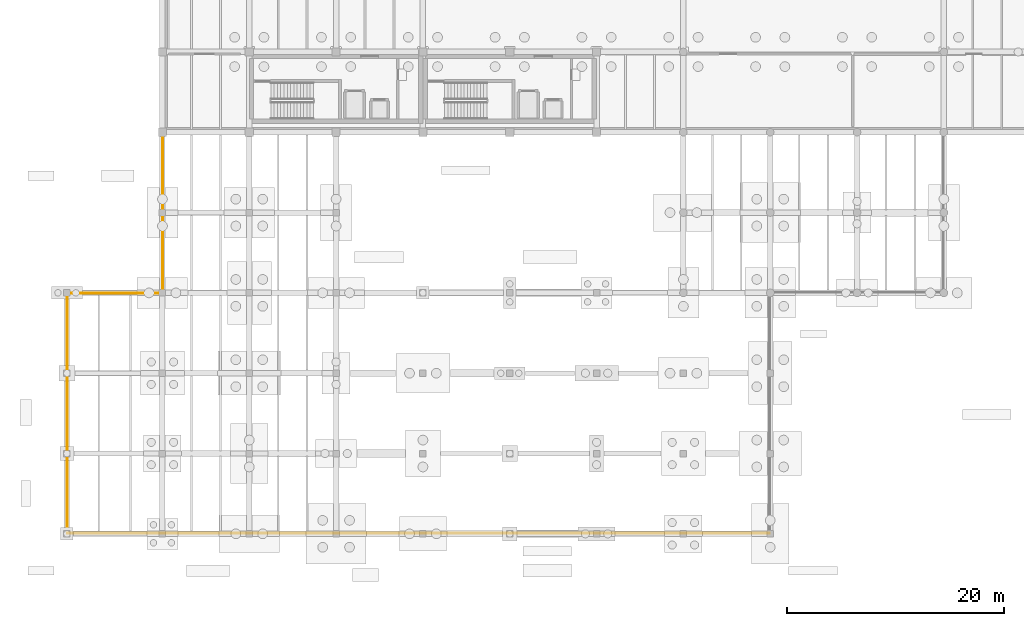
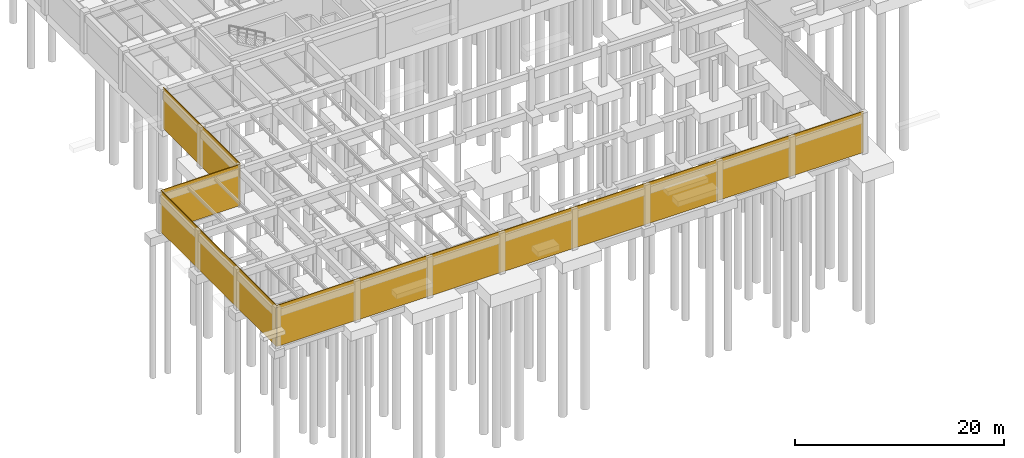
# One storey, part 27 of 40: 4 coverings.
"""IFC4 building model written with IfcOpenShell, lengths in metres."""

from ifc_helpers import new_model, si_unit, direction, frame, frame_2d, origin, place, context, subcontext, project, spatial, rectangle, extrude, material, layer, layer_set, type_object, element, save


model = new_model("IFC4")

# Units and contexts
model_context = context("Model", 3, precision=1e-05, world=origin(), true_north=direction((0.0, 1.0)))
body_context = subcontext(model_context, "Body", "Model", "MODEL_VIEW")
ifc_project = project(units=[si_unit("LENGTHUNIT", "METRE"), si_unit("AREAUNIT", "SQUARE_METRE"), si_unit("VOLUMEUNIT", "CUBIC_METRE"), si_unit("PLANEANGLEUNIT", "RADIAN"), si_unit("MASSUNIT", "GRAM", prefix="KILO")], contexts=[model_context])

# Site, building, storey
site_placement = place(None, origin())
site = spatial("IfcSite", under=ifc_project, at=site_placement, CompositionType="ELEMENT")
building_placement = place(site_placement, origin())
building = spatial("IfcBuilding", under=site, at=building_placement, Name="Valkorina Park Police Headquarters", CompositionType="ELEMENT")
storey_placement = place(building_placement, frame((0.0, 0.0, -4.800048828125)))
storey = spatial("IfcBuildingStorey", under=building, at=storey_placement, Name="B01", CompositionType="ELEMENT", Elevation=-4.800048828125)

# Coverings
ifc_material = material(Name="Precast concrete C40/50", Category="concrete")
ifc_layer = layer(ifc_material, 0.044921875)
ifc_layer_set = layer_set([ifc_layer], Name="Precast concrete C40/50")
covering_type = type_object("IfcCoveringType", Name="COV-CLAD-DOLOMITE", PredefinedType="CLADDING", material=ifc_layer_set)
covering_1_placement = place(storey_placement, frame((0.0400390625, 22.159912109375, 0.0), z_axis=(0.0, 0.0, 1.0), x_axis=(1.0, 0.0, 0.0)))
element("IfcCovering", 1, at=covering_1_placement, inside=storey, type_object=covering_type, Name="Substructure Frost Plinth Cladding 01", PredefinedType="CLADDING", context=body_context, shape_type="SweptSolid", body=[
    extrude(rectangle(XDim=8.719970703125, YDim=0.080078125, at=frame_2d((4.35986328125, 0.0))), origin(), (0.0, 0.0, 1.0), 4.800048828125),
])
covering_2_placement = place(storey_placement, frame((8.840087890625, 22.239990234375, 0.0), z_axis=(0.0, 0.0, 1.0), x_axis=(0.0, 1.0, 0.0)))
element("IfcCovering", 2, at=covering_2_placement, inside=storey, type_object=covering_type, Name="Substructure Frost Plinth Cladding 02", PredefinedType="CLADDING", context=body_context, shape_type="SweptSolid", body=[
    extrude(rectangle(XDim=14.719970703125, YDim=0.080078125, at=frame_2d((7.35986328125, 0.0))), origin(), (0.0, 0.0, 1.0), 4.800048828125),
])
covering_3_placement = place(storey_placement, frame((64.760009765625, 0.0400390625, 0.0), z_axis=(0.0, 0.0, 1.0), x_axis=(-1.0, 0.0, 0.0)))
element("IfcCovering", 3, at=covering_3_placement, inside=storey, type_object=covering_type, Name="Substructure Frost Plinth Cladding 15", PredefinedType="CLADDING", context=body_context, shape_type="SweptSolid", body=[
    extrude(rectangle(XDim=64.719970703125, YDim=0.080078125, at=frame_2d((32.35986328125, 0.0))), origin(), (0.0, 0.0, 1.0), 4.800048828125),
])
covering_4_placement = place(storey_placement, frame((0.0400390625, 0.0400390625, 0.0), z_axis=(0.0, 0.0, 1.0), x_axis=(0.0, 1.0, 0.0)))
element("IfcCovering", 4, at=covering_4_placement, inside=storey, type_object=covering_type, Name="Substructure Frost Plinth Cladding 16", PredefinedType="CLADDING", context=body_context, shape_type="SweptSolid", body=[
    extrude(rectangle(XDim=22.119873046875, YDim=0.080078125, at=frame_2d((11.06005859375, 0.0))), origin(), (0.0, 0.0, 1.0), 4.800048828125),
])

save(model, "model.ifc")
